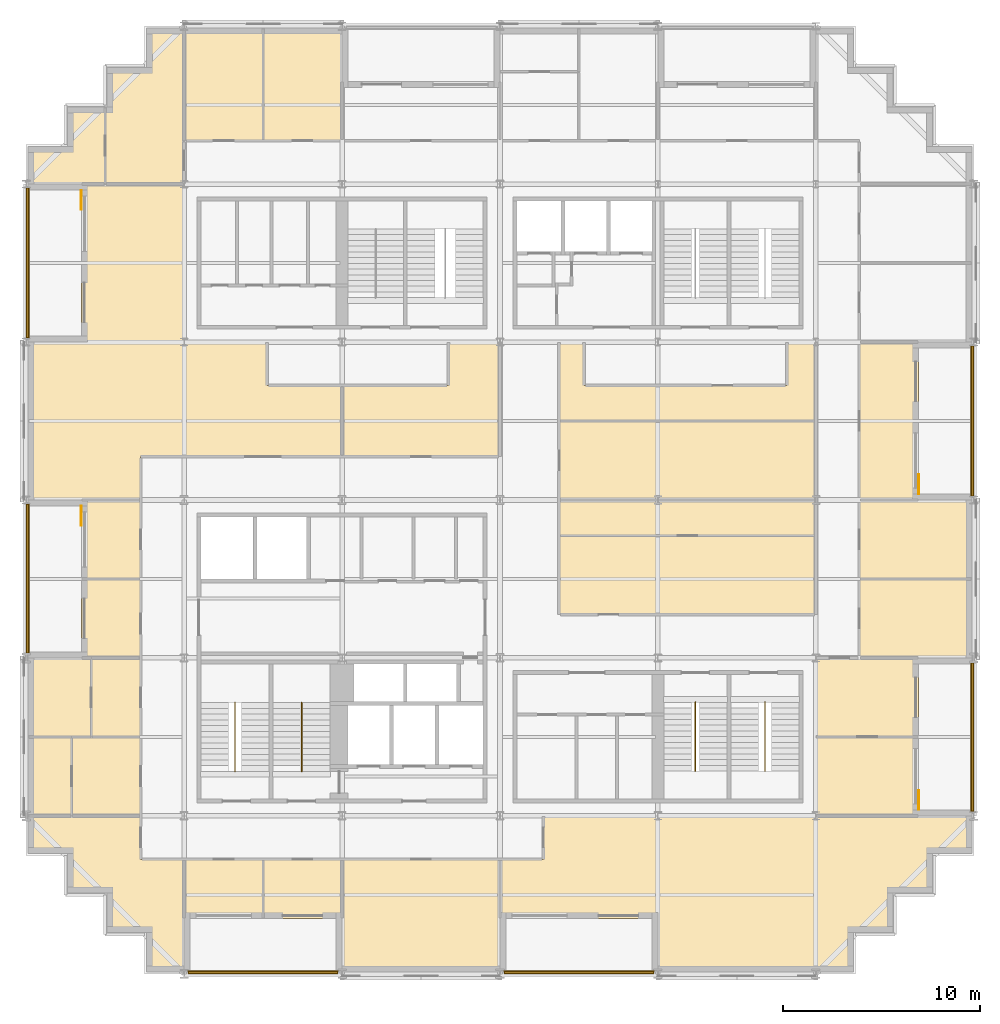
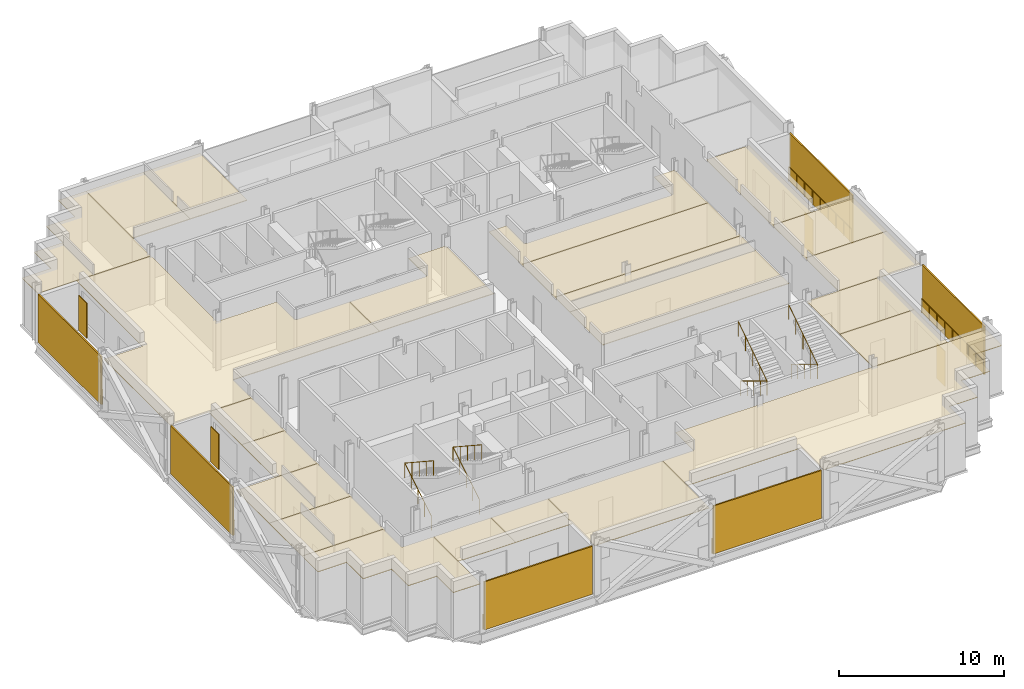
# One storey, part 13 of 14: 26 coverings, 10 railings, 10 shading devices.
"""IFC4 building model written with IfcOpenShell, lengths in metres."""

import ifcopenshell
import ifcopenshell.guid

model = None  # the IFC model being written
_history = None  # IfcOwnerHistory: only IFC2X3 demands one
_inside = {}  # id of a spatial element -> (the spatial element, [elements in it])
_under = {}  # id of a project, library or spatial element -> (it, [spatial elements below it])
_declared = {}  # id of a project -> (the project, [libraries it declares])
_typed = {}  # id of a type object -> (the type object, [elements of that type])
_made_of = {}  # id of a material, layer set ... -> (it, [elements and type objects made of it])


def new_model(schema):
    """Start an empty IFC model of exactly this schema.

    Asked for "IFC4X3", IfcOpenShell would pick the latest addendum, in which some entities
    have other attributes; the version numbers below select the first issue.
    IFC2X3 requires an IfcOwnerHistory on every rooted entity: one is made here for all.
    """
    global model, _history
    if schema == "IFC4X3":
        model = ifcopenshell.file(schema_version=(4, 3, 0, 0))
    else:
        model = ifcopenshell.file(schema=schema)
    _inside.clear()
    _under.clear()
    _declared.clear()
    _typed.clear()
    _made_of.clear()
    _history = None
    if model.schema == "IFC2X3":
        org = make("IfcOrganization", Name="unknown")
        user = make(
            "IfcPersonAndOrganization",
            ThePerson=make("IfcPerson", FamilyName="unknown"),
            TheOrganization=org,
        )
        app = make(
            "IfcApplication",
            ApplicationDeveloper=org,
            Version="unknown",
            ApplicationFullName="unknown",
            ApplicationIdentifier="unknown",
        )
        _history = make(
            "IfcOwnerHistory",
            OwningUser=user,
            OwningApplication=app,
            ChangeAction="ADDED",
            CreationDate=0,
        )
    return model


def make(cls, **values):
    """One entity of the class cls with the attributes given. An attribute that is None is left unset."""
    return model.create_entity(
        cls, **{name: value for name, value in values.items() if value is not None}
    )


def rooted(cls, **values):
    """An entity with a GlobalId (a new one), such as an element, a storey or a relation."""
    return make(cls, GlobalId=ifcopenshell.guid.new(), OwnerHistory=_history, **values)


def si_unit(unit_type, name, prefix=None):
    """IfcSIUnit, for example si_unit("LENGTHUNIT", "METRE", prefix="MILLI")."""
    return make("IfcSIUnit", UnitType=unit_type, Prefix=prefix, Name=name)


def assignment(units):
    """IfcUnitAssignment: the units of a project."""
    return None if units is None else make("IfcUnitAssignment", Units=units)


def point(xyz):
    """IfcCartesianPoint."""
    return None if xyz is None else make("IfcCartesianPoint", Coordinates=xyz)


def direction(xyz):
    """IfcDirection."""
    return None if xyz is None else make("IfcDirection", DirectionRatios=xyz)


def frame(location, z_axis=None, x_axis=None):
    """IfcAxis2Placement3D, a coordinate frame: its origin and axes. An axis left out is left unset."""
    return make(
        "IfcAxis2Placement3D",
        Location=point(location),
        Axis=direction(z_axis),
        RefDirection=direction(x_axis),
    )


def frame_2d(location, x_axis=None):
    """IfcAxis2Placement2D, a coordinate frame in the plane: its origin and x axis."""
    return make(
        "IfcAxis2Placement2D", Location=point(location), RefDirection=direction(x_axis)
    )


def origin():
    """The frame at (0, 0, 0) with its axes left unset."""
    return frame((0.0, 0.0, 0.0))


def origin_2d():
    """The frame at (0, 0) in the plane with its x axis left unset."""
    return frame_2d((0.0, 0.0))


def place(relative_to, where):
    """IfcLocalPlacement: puts the frame where relative to a parent placement (None: the world)."""
    return make(
        "IfcLocalPlacement", PlacementRelTo=relative_to, RelativePlacement=where
    )


def context(
    kind, dimensions, precision=None, world=None, true_north=None, identifier=None
):
    """IfcGeometricRepresentationContext, for example the 3D "Model" context."""
    return make(
        "IfcGeometricRepresentationContext",
        ContextIdentifier=identifier,
        ContextType=kind,
        CoordinateSpaceDimension=dimensions,
        Precision=precision,
        WorldCoordinateSystem=world,
        TrueNorth=true_north,
    )


def subcontext(parent, identifier, kind, view, scale=None):
    """IfcGeometricRepresentationSubContext, for example "Body" below "Model"."""
    return make(
        "IfcGeometricRepresentationSubContext",
        ContextIdentifier=identifier,
        ContextType=kind,
        ParentContext=parent,
        TargetScale=scale,
        TargetView=view,
    )


def project(units=None, contexts=None):
    """IfcProject with its units and contexts."""
    return rooted(
        "IfcProject",
        Name="project",
        RepresentationContexts=contexts,
        UnitsInContext=assignment(units),
    )


def spatial(cls, under=None, at=None, **own):
    """A site, building, storey or space (cls), placed at a placement, below another one or the project."""
    s = rooted(cls, ObjectPlacement=at, **own)
    if under is not None:
        _under.setdefault(under.id(), (under, []))[1].append(s)
    return s


def polyline(points):
    """IfcPolyline through the points."""
    return make("IfcPolyline", Points=[point(p) for p in points])


def profile(cls, at=None, kind="AREA", **sizes):
    """A parametric profile (cls). Its sizes go by their IFC names, for example OverallWidth=200.0."""
    return make(cls, ProfileType=kind, Position=at, **sizes)


def rectangle(**sizes):
    """IfcRectangleProfileDef."""
    return profile("IfcRectangleProfileDef", **sizes)


def circle(**sizes):
    """IfcCircleProfileDef."""
    return profile("IfcCircleProfileDef", **sizes)


def outline(outer, holes=None, kind="AREA"):
    """IfcArbitraryClosedProfileDef: a profile drawn as a closed curve; with holes, ...WithVoids."""
    if holes is None:
        return make("IfcArbitraryClosedProfileDef", ProfileType=kind, OuterCurve=outer)
    return make(
        "IfcArbitraryProfileDefWithVoids",
        ProfileType=kind,
        OuterCurve=outer,
        InnerCurves=holes,
    )


def extrude(swept, where, along, depth):
    """IfcExtrudedAreaSolid: the profile swept, set in the frame where, extruded along a direction by depth."""
    return make(
        "IfcExtrudedAreaSolid",
        SweptArea=swept,
        Position=where,
        ExtrudedDirection=direction(along),
        Depth=depth,
    )


def shape(context_of_items, identifier, shape_type, items):
    """IfcShapeRepresentation: the items that make up one representation, for example the "Body"."""
    return make(
        "IfcShapeRepresentation",
        ContextOfItems=context_of_items,
        RepresentationIdentifier=identifier,
        RepresentationType=shape_type,
        Items=items,
    )


def material(Name=None, Category=None):
    """IfcMaterial."""
    return make("IfcMaterial", Name=Name, Category=Category)


def layer(
    of_material, thickness, ventilated=None, Name=None, Category=None, Priority=None
):
    """IfcMaterialLayer: one layer of a wall or slab, of a material (None: an air gap)."""
    return make(
        "IfcMaterialLayer",
        Material=of_material,
        LayerThickness=thickness,
        IsVentilated=ventilated,
        Name=Name,
        Category=Category,
        Priority=Priority,
    )


def layer_set(layers, Name=None):
    """IfcMaterialLayerSet."""
    return make("IfcMaterialLayerSet", MaterialLayers=layers, LayerSetName=Name)


def made_of(thing, what):
    """Note that an element or type object is made of a material, layer set ...; save() writes the relation."""
    if what is not None:
        _made_of.setdefault(what.id(), (what, []))[1].append(thing)
    return thing


def type_object(cls, material=None, **own):
    """A type object (cls), such as IfcWallType, which elements share."""
    return made_of(rooted(cls, **own), material)


def element(
    cls,
    number,
    at=None,
    inside=None,
    cuts=None,
    type_object=None,
    material=None,
    context=None,
    identifier="Body",
    shape_type=None,
    held_by="IfcProductDefinitionShape",
    body=None,
    shapes=None,
    **own,
):
    """One element of the class cls, such as IfcWall. Its Tag is "e" and its number.

    at: its placement. inside: the storey or other place that contains it. cuts: it is an
    opening in that element (IfcRelVoidsElement). A single representation is given by context,
    identifier, shape_type and body (its items); several are given by shapes. held_by: the class
    of the entity that holds the representations. save() writes the other relations.
    """
    e = rooted(cls, Tag="e%d" % number, ObjectPlacement=at, **own)
    if body is not None:
        shapes = [shape(context, identifier, shape_type, body)]
    if shapes is not None:
        e.Representation = make(held_by, Representations=shapes)
    if inside is not None:
        _inside.setdefault(inside.id(), (inside, []))[1].append(e)
    if cuts is not None:
        rooted(
            "IfcRelVoidsElement", RelatingBuildingElement=cuts, RelatedOpeningElement=e
        )
    if type_object is not None:
        _typed.setdefault(type_object.id(), (type_object, []))[1].append(e)
    return made_of(e, material)


def aggregate(whole, parts):
    """IfcRelAggregates: a whole, such as a stair, and the parts it consists of."""
    return rooted("IfcRelAggregates", RelatingObject=whole, RelatedObjects=parts)


def save(model, path):
    """Write the relations noted so far, then the file.

    IfcRelAggregates (storeys below a building ...), IfcRelContainedInSpatialStructure (elements
    in a storey), IfcRelDefinesByType, IfcRelAssociatesMaterial and IfcRelDeclares: one each for
    every whole, place, type object, material and project.
    """
    for whole, parts in _under.values():
        aggregate(whole, parts)
    for where, things in _inside.values():
        rooted(
            "IfcRelContainedInSpatialStructure",
            RelatedElements=things,
            RelatingStructure=where,
        )
    for kind, things in _typed.values():
        rooted("IfcRelDefinesByType", RelatedObjects=things, RelatingType=kind)
    for what, things in _made_of.values():
        rooted("IfcRelAssociatesMaterial", RelatedObjects=things, RelatingMaterial=what)
    for by, libraries in _declared.values():
        rooted("IfcRelDeclares", RelatingContext=by, RelatedDefinitions=libraries)
    model.write(path)


model = new_model("IFC4")

# Units and contexts
model_context = context("Model", 3, precision=1e-05, world=origin(), true_north=direction((0.0, 1.0)))
body_context = subcontext(model_context, "Body", "Model", "MODEL_VIEW")
ifc_project = project(units=[si_unit("LENGTHUNIT", "METRE"), si_unit("AREAUNIT", "SQUARE_METRE"), si_unit("VOLUMEUNIT", "CUBIC_METRE"), si_unit("PLANEANGLEUNIT", "RADIAN"), si_unit("MASSUNIT", "GRAM", prefix="KILO")], contexts=[model_context])

# Site, building, storey
site_placement = place(None, origin())
site = spatial("IfcSite", under=ifc_project, at=site_placement, CompositionType="ELEMENT")
building_placement = place(site_placement, origin())
building = spatial("IfcBuilding", under=site, at=building_placement, Name="Immortelle Media Tower", CompositionType="ELEMENT")
storey_placement = place(building_placement, frame((0.0, 0.0, 96.39990234375)))
storey = spatial("IfcBuildingStorey", under=building, at=storey_placement, Name="L18", CompositionType="ELEMENT", Elevation=96.39990234375)

# Railings
ifc_material_1 = material(Name="Powder-coated aluminium fretwork panel, laminated glass backing", Category="aluminium")
railing_type_1 = type_object("IfcRailingType", Name="Fretwork balustrade 1100", PredefinedType="BALUSTRADE", material=ifc_material_1)
railing_1_placement = place(storey_placement, frame((0.139892578125, 39.806884765625, 0.0)))
element("IfcRailing", 1, at=railing_1_placement, inside=storey, type_object=railing_type_1, Name="Fretwork balustrade L18 W0", PredefinedType="BALUSTRADE", context=body_context, shape_type="SweptSolid", body=[
    extrude(circle(Radius=0.02490234375, at=origin_2d()), frame((0.0, 0.0, 1.0751953125), z_axis=(0.0, -1.0, 0.0), x_axis=(1.0, 0.0, 0.0)), (0.0, 0.0, 1.0), 7.598388671875),
    extrude(circle(Radius=0.02001953125, at=origin_2d()), origin(), (0.0, 0.0, 1.0), 1.050048828125),
    extrude(circle(Radius=0.02001953125, at=origin_2d()), frame((0.0, -0.94970703125, 0.0)), (0.0, 0.0, 1.0), 1.050048828125),
    extrude(circle(Radius=0.02001953125, at=origin_2d()), frame((0.0, -1.899658203125, 0.0)), (0.0, 0.0, 1.0), 1.050048828125),
    extrude(circle(Radius=0.02001953125, at=origin_2d()), frame((0.0, -2.849365234375, 0.0)), (0.0, 0.0, 1.0), 1.050048828125),
    extrude(circle(Radius=0.02001953125, at=origin_2d()), frame((0.0, -3.79931640625, 0.0)), (0.0, 0.0, 1.0), 1.050048828125),
    extrude(circle(Radius=0.02001953125, at=origin_2d()), frame((0.0, -4.7490234375, 0.0)), (0.0, 0.0, 1.0), 1.050048828125),
    extrude(circle(Radius=0.02001953125, at=origin_2d()), frame((0.0, -5.69873046875, 0.0)), (0.0, 0.0, 1.0), 1.050048828125),
    extrude(circle(Radius=0.02001953125, at=origin_2d()), frame((0.0, -6.648681640625, 0.0)), (0.0, 0.0, 1.0), 1.050048828125),
    extrude(circle(Radius=0.02001953125, at=origin_2d()), frame((0.0, -7.598388671875, 0.0)), (0.0, 0.0, 1.0), 1.050048828125),
])
railing_2_placement = place(storey_placement, frame((0.139892578125, 23.79150390625, 0.0)))
element("IfcRailing", 2, at=railing_2_placement, inside=storey, type_object=railing_type_1, Name="Fretwork balustrade L18 W2", PredefinedType="BALUSTRADE", context=body_context, shape_type="SweptSolid", body=[
    extrude(circle(Radius=0.02490234375, at=origin_2d()), frame((0.0, 0.0, 1.0751953125), z_axis=(0.0, -1.0, 0.0), x_axis=(1.0, 0.0, 0.0)), (0.0, 0.0, 1.0), 7.54248046875),
    extrude(circle(Radius=0.02001953125, at=origin_2d()), origin(), (0.0, 0.0, 1.0), 1.050048828125),
    extrude(circle(Radius=0.02001953125, at=origin_2d()), frame((0.0, -0.94287109375, 0.0)), (0.0, 0.0, 1.0), 1.050048828125),
    extrude(circle(Radius=0.02001953125, at=origin_2d()), frame((0.0, -1.8857421875, 0.0)), (0.0, 0.0, 1.0), 1.050048828125),
    extrude(circle(Radius=0.02001953125, at=origin_2d()), frame((0.0, -2.828369140625, 0.0)), (0.0, 0.0, 1.0), 1.050048828125),
    extrude(circle(Radius=0.02001953125, at=origin_2d()), frame((0.0, -3.771240234375, 0.0)), (0.0, 0.0, 1.0), 1.050048828125),
    extrude(circle(Radius=0.02001953125, at=origin_2d()), frame((0.0, -4.714111328125, 0.0)), (0.0, 0.0, 1.0), 1.050048828125),
    extrude(circle(Radius=0.02001953125, at=origin_2d()), frame((0.0, -5.65673828125, 0.0)), (0.0, 0.0, 1.0), 1.050048828125),
    extrude(circle(Radius=0.02001953125, at=origin_2d()), frame((0.0, -6.599609375, 0.0)), (0.0, 0.0, 1.0), 1.050048828125),
    extrude(circle(Radius=0.02001953125, at=origin_2d()), frame((0.0, -7.54248046875, 0.0)), (0.0, 0.0, 1.0), 1.050048828125),
])
railing_3_placement = place(storey_placement, frame((8.20947265625, 0.139892578125, 0.0)))
element("IfcRailing", 3, at=railing_3_placement, inside=storey, type_object=railing_type_1, Name="Fretwork balustrade L18 S0", PredefinedType="BALUSTRADE", context=body_context, shape_type="SweptSolid", body=[
    extrude(circle(Radius=0.02490234375, at=origin_2d()), frame((0.0, 0.0, 1.0751953125), z_axis=(1.0, 0.0, 0.0), x_axis=(0.0, 1.0, 0.0)), (0.0, 0.0, 1.0), 7.574462890625),
    extrude(circle(Radius=0.02001953125, at=origin_2d()), origin(), (0.0, 0.0, 1.0), 1.050048828125),
    extrude(circle(Radius=0.02001953125, at=origin_2d()), frame((0.94677734375, 0.0, 0.0)), (0.0, 0.0, 1.0), 1.050048828125),
    extrude(circle(Radius=0.02001953125, at=origin_2d()), frame((1.8935546875, 0.0, 0.0)), (0.0, 0.0, 1.0), 1.050048828125),
    extrude(circle(Radius=0.02001953125, at=origin_2d()), frame((2.84033203125, 0.0, 0.0)), (0.0, 0.0, 1.0), 1.050048828125),
    extrude(circle(Radius=0.02001953125, at=origin_2d()), frame((3.787109375, 0.0, 0.0)), (0.0, 0.0, 1.0), 1.050048828125),
    extrude(circle(Radius=0.02001953125, at=origin_2d()), frame((4.734130859375, 0.0, 0.0)), (0.0, 0.0, 1.0), 1.050048828125),
    extrude(circle(Radius=0.02001953125, at=origin_2d()), frame((5.680908203125, 0.0, 0.0)), (0.0, 0.0, 1.0), 1.050048828125),
    extrude(circle(Radius=0.02001953125, at=origin_2d()), frame((6.627685546875, 0.0, 0.0)), (0.0, 0.0, 1.0), 1.050048828125),
    extrude(circle(Radius=0.02001953125, at=origin_2d()), frame((7.574462890625, 0.0, 0.0)), (0.0, 0.0, 1.0), 1.050048828125),
])
railing_4_placement = place(storey_placement, frame((24.216064453125, 0.139892578125, 0.0)))
element("IfcRailing", 4, at=railing_4_placement, inside=storey, type_object=railing_type_1, Name="Fretwork balustrade L18 S2", PredefinedType="BALUSTRADE", context=body_context, shape_type="SweptSolid", body=[
    extrude(circle(Radius=0.02490234375, at=origin_2d()), frame((0.0, 0.0, 1.0751953125), z_axis=(1.0, 0.0, 0.0), x_axis=(0.0, 1.0, 0.0)), (0.0, 0.0, 1.0), 7.56787109375),
    extrude(circle(Radius=0.02001953125, at=origin_2d()), origin(), (0.0, 0.0, 1.0), 1.050048828125),
    extrude(circle(Radius=0.02001953125, at=origin_2d()), frame((0.946044921875, 0.0, 0.0)), (0.0, 0.0, 1.0), 1.050048828125),
    extrude(circle(Radius=0.02001953125, at=origin_2d()), frame((1.89208984375, 0.0, 0.0)), (0.0, 0.0, 1.0), 1.050048828125),
    extrude(circle(Radius=0.02001953125, at=origin_2d()), frame((2.837890625, 0.0, 0.0)), (0.0, 0.0, 1.0), 1.050048828125),
    extrude(circle(Radius=0.02001953125, at=origin_2d()), frame((3.783935546875, 0.0, 0.0)), (0.0, 0.0, 1.0), 1.050048828125),
    extrude(circle(Radius=0.02001953125, at=origin_2d()), frame((4.72998046875, 0.0, 0.0)), (0.0, 0.0, 1.0), 1.050048828125),
    extrude(circle(Radius=0.02001953125, at=origin_2d()), frame((5.67578125, 0.0, 0.0)), (0.0, 0.0, 1.0), 1.050048828125),
    extrude(circle(Radius=0.02001953125, at=origin_2d()), frame((6.621826171875, 0.0, 0.0)), (0.0, 0.0, 1.0), 1.050048828125),
    extrude(circle(Radius=0.02001953125, at=origin_2d()), frame((7.56787109375, 0.0, 0.0)), (0.0, 0.0, 1.0), 1.050048828125),
])
railing_5_placement = place(storey_placement, frame((47.860107421875, 8.2275390625, 0.0)))
element("IfcRailing", 5, at=railing_5_placement, inside=storey, type_object=railing_type_1, Name="Fretwork balustrade L18 E0", PredefinedType="BALUSTRADE", context=body_context, shape_type="SweptSolid", body=[
    extrude(circle(Radius=0.02490234375, at=origin_2d()), frame((0.0, 0.0, 1.0751953125), z_axis=(0.0, 1.0, 0.0), x_axis=(-1.0, 0.0, 0.0)), (0.0, 0.0, 1.0), 7.5234375),
    extrude(circle(Radius=0.02001953125, at=origin_2d()), origin(), (0.0, 0.0, 1.0), 1.050048828125),
    extrude(circle(Radius=0.02001953125, at=origin_2d()), frame((0.0, 0.9404296875, 0.0)), (0.0, 0.0, 1.0), 1.050048828125),
    extrude(circle(Radius=0.02001953125, at=origin_2d()), frame((0.0, 1.880859375, 0.0)), (0.0, 0.0, 1.0), 1.050048828125),
    extrude(circle(Radius=0.02001953125, at=origin_2d()), frame((0.0, 2.8212890625, 0.0)), (0.0, 0.0, 1.0), 1.050048828125),
    extrude(circle(Radius=0.02001953125, at=origin_2d()), frame((0.0, 3.76171875, 0.0)), (0.0, 0.0, 1.0), 1.050048828125),
    extrude(circle(Radius=0.02001953125, at=origin_2d()), frame((0.0, 4.7021484375, 0.0)), (0.0, 0.0, 1.0), 1.050048828125),
    extrude(circle(Radius=0.02001953125, at=origin_2d()), frame((0.0, 5.642578125, 0.0)), (0.0, 0.0, 1.0), 1.050048828125),
    extrude(circle(Radius=0.02001953125, at=origin_2d()), frame((0.0, 6.5830078125, 0.0)), (0.0, 0.0, 1.0), 1.050048828125),
    extrude(circle(Radius=0.02001953125, at=origin_2d()), frame((0.0, 7.5234375, 0.0)), (0.0, 0.0, 1.0), 1.050048828125),
])
railing_6_placement = place(storey_placement, frame((47.860107421875, 24.193115234375, 0.0)))
element("IfcRailing", 6, at=railing_6_placement, inside=storey, type_object=railing_type_1, Name="Fretwork balustrade L18 E2", PredefinedType="BALUSTRADE", context=body_context, shape_type="SweptSolid", body=[
    extrude(circle(Radius=0.02490234375, at=origin_2d()), frame((0.0, 0.0, 1.0751953125), z_axis=(0.0, 1.0, 0.0), x_axis=(-1.0, 0.0, 0.0)), (0.0, 0.0, 1.0), 7.61376953125),
    extrude(circle(Radius=0.02001953125, at=origin_2d()), origin(), (0.0, 0.0, 1.0), 1.050048828125),
    extrude(circle(Radius=0.02001953125, at=origin_2d()), frame((0.0, 0.95166015625, 0.0)), (0.0, 0.0, 1.0), 1.050048828125),
    extrude(circle(Radius=0.02001953125, at=origin_2d()), frame((0.0, 1.9033203125, 0.0)), (0.0, 0.0, 1.0), 1.050048828125),
    extrude(circle(Radius=0.02001953125, at=origin_2d()), frame((0.0, 2.855224609375, 0.0)), (0.0, 0.0, 1.0), 1.050048828125),
    extrude(circle(Radius=0.02001953125, at=origin_2d()), frame((0.0, 3.806884765625, 0.0)), (0.0, 0.0, 1.0), 1.050048828125),
    extrude(circle(Radius=0.02001953125, at=origin_2d()), frame((0.0, 4.758544921875, 0.0)), (0.0, 0.0, 1.0), 1.050048828125),
    extrude(circle(Radius=0.02001953125, at=origin_2d()), frame((0.0, 5.71044921875, 0.0)), (0.0, 0.0, 1.0), 1.050048828125),
    extrude(circle(Radius=0.02001953125, at=origin_2d()), frame((0.0, 6.662109375, 0.0)), (0.0, 0.0, 1.0), 1.050048828125),
    extrude(circle(Radius=0.02001953125, at=origin_2d()), frame((0.0, 7.61376953125, 0.0)), (0.0, 0.0, 1.0), 1.050048828125),
])

# Shading devices
ifc_material_2 = material(Name="Pale aluminium louvre blades", Category="aluminium")
ifc_layer_1 = layer(ifc_material_2, 0.10009765625)
ifc_layer_set_1 = layer_set([ifc_layer_1], Name="Pale aluminium louvre blades")
shading_device_type_1 = type_object("IfcShadingDeviceType", Name="Jalousie screen 100", PredefinedType="JALOUSIE", material=ifc_layer_set_1)
shading_device_1_placement = place(storey_placement, frame((0.050048828125, 36.0078125, 0.0), z_axis=(0.0, 0.0, 1.0), x_axis=(0.0, -1.0, 0.0)))
element("IfcShadingDevice", 7, at=shading_device_1_placement, inside=storey, type_object=shading_device_type_1, Name="Jalousie screen L18 W0", PredefinedType="JALOUSIE", context=body_context, shape_type="SweptSolid", body=[
    extrude(rectangle(XDim=7.598388671875, YDim=0.10009765625, at=origin_2d()), origin(), (0.0, 0.0, 1.0), 3.556884765625),
])
shading_device_2_placement = place(storey_placement, frame((0.050048828125, 20.020263671875, 0.0), z_axis=(0.0, 0.0, 1.0), x_axis=(0.0, -1.0, 0.0)))
element("IfcShadingDevice", 8, at=shading_device_2_placement, inside=storey, type_object=shading_device_type_1, Name="Jalousie screen L18 W2", PredefinedType="JALOUSIE", context=body_context, shape_type="SweptSolid", body=[
    extrude(rectangle(XDim=7.54248046875, YDim=0.10009765625, at=origin_2d()), origin(), (0.0, 0.0, 1.0), 3.556884765625),
])
shading_device_3_placement = place(storey_placement, frame((11.996826171875, 0.050048828125, 0.0), z_axis=(0.0, 0.0, 1.0), x_axis=(1.0, 0.0, 0.0)))
element("IfcShadingDevice", 9, at=shading_device_3_placement, inside=storey, type_object=shading_device_type_1, Name="Jalousie screen L18 S0", PredefinedType="JALOUSIE", context=body_context, shape_type="SweptSolid", body=[
    extrude(rectangle(XDim=7.574462890625, YDim=0.10009765625, at=origin_2d()), origin(), (0.0, 0.0, 1.0), 3.556884765625),
])
shading_device_4_placement = place(storey_placement, frame((28.0, 0.050048828125, 0.0), z_axis=(0.0, 0.0, 1.0), x_axis=(1.0, 0.0, 0.0)))
element("IfcShadingDevice", 10, at=shading_device_4_placement, inside=storey, type_object=shading_device_type_1, Name="Jalousie screen L18 S2", PredefinedType="JALOUSIE", context=body_context, shape_type="SweptSolid", body=[
    extrude(rectangle(XDim=7.568115234375, YDim=0.10009765625, at=origin_2d()), origin(), (0.0, 0.0, 1.0), 3.556884765625),
])
shading_device_5_placement = place(storey_placement, frame((47.949951171875, 11.9892578125, 0.0), z_axis=(0.0, 0.0, 1.0), x_axis=(0.0, 1.0, 0.0)))
element("IfcShadingDevice", 11, at=shading_device_5_placement, inside=storey, type_object=shading_device_type_1, Name="Jalousie screen L18 E0", PredefinedType="JALOUSIE", context=body_context, shape_type="SweptSolid", body=[
    extrude(rectangle(XDim=7.5234375, YDim=0.10009765625, at=origin_2d()), origin(), (0.0, 0.0, 1.0), 3.556884765625),
])
shading_device_6_placement = place(storey_placement, frame((47.949951171875, 28.0, 0.0), z_axis=(0.0, 0.0, 1.0), x_axis=(0.0, 1.0, 0.0)))
element("IfcShadingDevice", 12, at=shading_device_6_placement, inside=storey, type_object=shading_device_type_1, Name="Jalousie screen L18 E2", PredefinedType="JALOUSIE", context=body_context, shape_type="SweptSolid", body=[
    extrude(rectangle(XDim=7.614013671875, YDim=0.10009765625, at=origin_2d()), origin(), (0.0, 0.0, 1.0), 3.556884765625),
])
ifc_material_3 = material(Name="Pale aluminium louvre blades in a folding frame", Category="aluminium")
ifc_layer_2 = layer(ifc_material_3, 0.050048828125)
ifc_layer_set_2 = layer_set([ifc_layer_2], Name="Pale aluminium louvre blades in a folding frame")
shading_device_type_2 = type_object("IfcShadingDeviceType", Name="Louvred loggia shutter", PredefinedType="SHUTTER", material=ifc_layer_set_2)
for number, where, z_axis, x_axis, name in (
    (13, (2.77490234375, 39.199951171875, 0.0), (0.0, 0.0, 1.0), (0.0, -1.0, 0.0), "Loggia shutter L18 W0"),
    (14, (2.77490234375, 23.199951171875, 0.0), (0.0, 0.0, 1.0), (0.0, -1.0, 0.0), "Loggia shutter L18 W2"),
    (15, (45.22509765625, 8.800048828125, 0.0), (0.0, 0.0, 1.0), (0.0, 1.0, 0.0), "Loggia shutter L18 E0"),
    (16, (45.22509765625, 24.800048828125, 0.0), (0.0, 0.0, 1.0), (0.0, 1.0, 0.0), "Loggia shutter L18 E2"),
):
    element("IfcShadingDevice", number, at=place(storey_placement, frame(where, z_axis=z_axis, x_axis=x_axis)), inside=storey, type_object=shading_device_type_2, Name=name, PredefinedType="SHUTTER", context=body_context, shape_type="SweptSolid", body=[
        extrude(rectangle(XDim=1.0, YDim=0.050048828125, at=origin_2d()), origin(), (0.0, 0.0, 1.0), 2.60009765625),
    ])

# Railings
ifc_material_4 = material(Name="Stainless steel AISI 316", Category="steel")
railing_type_2 = type_object("IfcRailingType", Name="Stair guard 1100", PredefinedType="GUARDRAIL", material=ifc_material_4)
for number, where, name in (
    (17, (10.574951171875, 10.5400390625, 0.176025390625), "Stair guard SW1"),
    (18, (13.949951171875, 10.5400390625, 0.176025390625), "Stair guard SW2"),
):
    element("IfcRailing", number, at=place(storey_placement, frame(where)), inside=storey, type_object=railing_type_2, Name=name, PredefinedType="GUARDRAIL", context=body_context, shape_type="SweptSolid", body=[
        extrude(circle(Radius=0.02392578125, at=origin_2d()), frame((0.0, 0.0, 1.076171875), z_axis=(0.0, 0.854872504309, 0.518838126371), x_axis=(-1.0, 0.0, 0.0)), (0.0, 0.0, 1.0), 3.7314453125),
        extrude(circle(Radius=0.02392578125, at=origin_2d()), frame((0.0, 3.18994140625, 3.01220703125), z_axis=(0.0, -0.835568629342, 0.549386080693), x_axis=(1.0, 0.0, 0.0)), (0.0, 0.0, 1.0), 4.164794921875),
        extrude(circle(Radius=0.02099609375, at=origin_2d()), origin(), (0.0, 0.0, 1.0), 1.052001953125),
        extrude(circle(Radius=0.02099609375, at=origin_2d()), frame((0.0, 0.79736328125, 0.48388671875)), (0.0, 0.0, 1.0), 1.052001953125),
        extrude(circle(Radius=0.02099609375, at=origin_2d()), frame((0.0, 1.594970703125, 0.968017578125)), (0.0, 0.0, 1.0), 1.052001953125),
        extrude(circle(Radius=0.02099609375, at=origin_2d()), frame((0.0, 2.392578125, 1.4521484375)), (0.0, 0.0, 1.0), 1.052001953125),
        extrude(circle(Radius=0.02099609375, at=origin_2d()), frame((0.0, 3.18994140625, 1.93603515625)), (0.0, 0.0, 1.0), 1.052001953125),
        extrude(circle(Radius=0.02099609375, at=origin_2d()), frame((0.0, 2.31982421875, 2.508056640625)), (0.0, 0.0, 1.0), 1.052001953125),
        extrude(circle(Radius=0.02099609375, at=origin_2d()), frame((0.0, 1.449951171875, 3.080078125)), (0.0, 0.0, 1.0), 1.052001953125),
        extrude(circle(Radius=0.02099609375, at=origin_2d()), frame((0.0, 0.580078125, 3.652099609375)), (0.0, 0.0, 1.0), 1.052001953125),
        extrude(circle(Radius=0.02099609375, at=origin_2d()), frame((0.0, -0.2900390625, 4.22412109375)), (0.0, 0.0, 1.0), 1.052001953125),
    ])
for number, where, name in (
    (19, (33.89990234375, 13.4599609375, 0.176025390625), "Stair guard SE1"),
    (20, (37.425048828125, 13.4599609375, 0.176025390625), "Stair guard SE2"),
):
    element("IfcRailing", number, at=place(storey_placement, frame(where)), inside=storey, type_object=railing_type_2, Name=name, PredefinedType="GUARDRAIL", context=body_context, shape_type="SweptSolid", body=[
        extrude(circle(Radius=0.02392578125, at=origin_2d()), frame((0.0, 0.0, 1.076171875), z_axis=(0.0, -0.854872504309, 0.518838126371), x_axis=(1.0, 0.0, 0.0)), (0.0, 0.0, 1.0), 3.7314453125),
        extrude(circle(Radius=0.02392578125, at=origin_2d()), frame((0.0, -3.18994140625, 3.01220703125), z_axis=(0.0, 0.835568629342, 0.549386080693), x_axis=(-1.0, 0.0, 0.0)), (0.0, 0.0, 1.0), 4.164794921875),
        extrude(circle(Radius=0.02099609375, at=origin_2d()), origin(), (0.0, 0.0, 1.0), 1.052001953125),
        extrude(circle(Radius=0.02099609375, at=origin_2d()), frame((0.0, -0.79736328125, 0.48388671875)), (0.0, 0.0, 1.0), 1.052001953125),
        extrude(circle(Radius=0.02099609375, at=origin_2d()), frame((0.0, -1.594970703125, 0.968017578125)), (0.0, 0.0, 1.0), 1.052001953125),
        extrude(circle(Radius=0.02099609375, at=origin_2d()), frame((0.0, -2.392578125, 1.4521484375)), (0.0, 0.0, 1.0), 1.052001953125),
        extrude(circle(Radius=0.02099609375, at=origin_2d()), frame((0.0, -3.18994140625, 1.93603515625)), (0.0, 0.0, 1.0), 1.052001953125),
        extrude(circle(Radius=0.02099609375, at=origin_2d()), frame((0.0, -2.31982421875, 2.508056640625)), (0.0, 0.0, 1.0), 1.052001953125),
        extrude(circle(Radius=0.02099609375, at=origin_2d()), frame((0.0, -1.449951171875, 3.080078125)), (0.0, 0.0, 1.0), 1.052001953125),
        extrude(circle(Radius=0.02099609375, at=origin_2d()), frame((0.0, -0.580078125, 3.652099609375)), (0.0, 0.0, 1.0), 1.052001953125),
        extrude(circle(Radius=0.02099609375, at=origin_2d()), frame((0.0, 0.2900390625, 4.22412109375)), (0.0, 0.0, 1.0), 1.052001953125),
    ])

# Coverings
ifc_material_5 = material(Name="Mineral fibre tile ceiling")
ifc_layer_3 = layer(ifc_material_5, 0.050048828125)
ifc_layer_set_3 = layer_set([ifc_layer_3], Name="Mineral fibre tile ceiling")
covering_type = type_object("IfcCoveringType", Name="Suspended ceiling 50", PredefinedType="CEILING", material=ifc_layer_set_3)
covering_1_placement = place(storey_placement, frame((0.0, 0.0, 3.420166015625)))
element("IfcCovering", 21, at=covering_1_placement, inside=storey, type_object=covering_type, Name="Ceiling L18-001", PredefinedType="CEILING", context=body_context, shape_type="SweptSolid", body=[
    extrude(outline(polyline([(16.0, 0.10009765625), (16.0, 2.800048828125), (16.0, 5.800048828125), (24.0, 5.800048828125), (24.0, 2.800048828125), (24.0, 0.10009765625), (16.0, 0.10009765625)])), origin(), (0.0, 0.0, 1.0), 0.050048828125),
])
covering_2_placement = place(storey_placement, frame((0.0, 0.0, 3.420166015625)))
element("IfcCovering", 22, at=covering_2_placement, inside=storey, type_object=covering_type, Name="Ceiling L18-002", PredefinedType="CEILING", context=body_context, shape_type="SweptSolid", body=[
    extrude(outline(polyline([(8.0, 5.800048828125), (12.0, 5.800048828125), (12.0, 2.800048828125), (8.0, 2.800048828125), (8.0, 5.800048828125)])), origin(), (0.0, 0.0, 1.0), 0.050048828125),
])
covering_3_placement = place(storey_placement, frame((0.0, 0.0, 3.420166015625)))
element("IfcCovering", 23, at=covering_3_placement, inside=storey, type_object=covering_type, Name="Ceiling L18-003", PredefinedType="CEILING", context=body_context, shape_type="SweptSolid", body=[
    extrude(outline(polyline([(16.0, 5.800048828125), (16.0, 2.800048828125), (12.0, 2.800048828125), (12.0, 5.800048828125), (16.0, 5.800048828125)])), origin(), (0.0, 0.0, 1.0), 0.050048828125),
])
covering_4_placement = place(storey_placement, frame((0.0, 0.0, 3.420166015625)))
element("IfcCovering", 24, at=covering_4_placement, inside=storey, type_object=covering_type, Name="Ceiling L18-004", PredefinedType="CEILING", context=body_context, shape_type="SweptSolid", body=[
    extrude(outline(polyline([(24.0, 2.800048828125), (24.0, 5.800048828125), (26.199951171875, 5.800048828125), (26.199951171875, 8.0), (32.0, 8.0), (40.0, 8.0), (45.199951171875, 8.0), (47.89990234375, 8.0), (47.89990234375, 6.10009765625), (45.89990234375, 6.10009765625), (45.89990234375, 4.10009765625), (43.89990234375, 4.10009765625), (43.89990234375, 2.10009765625), (41.89990234375, 2.10009765625), (41.89990234375, 0.10009765625), (40.0, 0.10009765625), (32.0, 0.10009765625), (32.0, 2.800048828125), (24.0, 2.800048828125)])), origin(), (0.0, 0.0, 1.0), 0.050048828125),
])
covering_5_placement = place(storey_placement, frame((0.0, 0.0, 3.420166015625)))
element("IfcCovering", 25, at=covering_5_placement, inside=storey, type_object=covering_type, Name="Ceiling L18-005", PredefinedType="CEILING", context=body_context, shape_type="SweptSolid", body=[
    extrude(outline(polyline([(4.10009765625, 2.10009765625), (4.10009765625, 4.10009765625), (2.10009765625, 4.10009765625), (2.10009765625, 6.10009765625), (0.10009765625, 6.10009765625), (0.10009765625, 8.0), (5.800048828125, 8.0), (5.800048828125, 5.800048828125), (8.0, 5.800048828125), (8.0, 2.800048828125), (8.0, 0.10009765625), (6.10009765625, 0.10009765625), (6.10009765625, 2.10009765625), (4.10009765625, 2.10009765625)])), origin(), (0.0, 0.0, 1.0), 0.050048828125),
])
covering_6_placement = place(storey_placement, frame((0.0, 0.0, 3.420166015625)))
element("IfcCovering", 26, at=covering_6_placement, inside=storey, type_object=covering_type, Name="Ceiling L18-006", PredefinedType="CEILING", context=body_context, shape_type="SweptSolid", body=[
    extrude(outline(polyline([(5.800048828125, 12.0), (5.800048828125, 8.0), (2.300048828125, 8.0), (2.300048828125, 12.0), (5.800048828125, 12.0)])), origin(), (0.0, 0.0, 1.0), 0.050048828125),
])
covering_7_placement = place(storey_placement, frame((0.0, 0.0, 3.420166015625)))
element("IfcCovering", 27, at=covering_7_placement, inside=storey, type_object=covering_type, Name="Ceiling L18-007", PredefinedType="CEILING", context=body_context, shape_type="SweptSolid", body=[
    extrude(outline(polyline([(2.300048828125, 12.0), (2.300048828125, 8.0), (0.10009765625, 8.0), (0.10009765625, 12.0), (2.300048828125, 12.0)])), origin(), (0.0, 0.0, 1.0), 0.050048828125),
])
covering_8_placement = place(storey_placement, frame((0.0, 0.0, 3.420166015625)))
element("IfcCovering", 28, at=covering_8_placement, inside=storey, type_object=covering_type, Name="Ceiling L18-008", PredefinedType="CEILING", context=body_context, shape_type="SweptSolid", body=[
    extrude(outline(polyline([(5.800048828125, 16.0), (5.800048828125, 12.0), (3.300048828125, 12.0), (3.300048828125, 16.0), (5.800048828125, 16.0)])), origin(), (0.0, 0.0, 1.0), 0.050048828125),
])
covering_9_placement = place(storey_placement, frame((0.0, 0.0, 3.420166015625)))
element("IfcCovering", 29, at=covering_9_placement, inside=storey, type_object=covering_type, Name="Ceiling L18-009", PredefinedType="CEILING", context=body_context, shape_type="SweptSolid", body=[
    extrude(outline(polyline([(2.800048828125, 16.0), (3.300048828125, 16.0), (3.300048828125, 12.0), (0.10009765625, 12.0), (0.10009765625, 16.0), (2.800048828125, 16.0)])), origin(), (0.0, 0.0, 1.0), 0.050048828125),
])
covering_10_placement = place(storey_placement, frame((0.0, 0.0, 3.420166015625)))
element("IfcCovering", 30, at=covering_10_placement, inside=storey, type_object=covering_type, Name="Ceiling L18-010", PredefinedType="CEILING", context=body_context, shape_type="SweptSolid", body=[
    extrude(outline(polyline([(40.0, 16.0), (42.199951171875, 16.0), (45.199951171875, 16.0), (45.199951171875, 12.0), (40.0, 12.0), (40.0, 16.0)])), origin(), (0.0, 0.0, 1.0), 0.050048828125),
])
covering_11_placement = place(storey_placement, frame((0.0, 0.0, 3.420166015625)))
element("IfcCovering", 31, at=covering_11_placement, inside=storey, type_object=covering_type, Name="Ceiling L18-011", PredefinedType="CEILING", context=body_context, shape_type="SweptSolid", body=[
    extrude(outline(polyline([(40.0, 8.0), (40.0, 12.0), (45.199951171875, 12.0), (45.199951171875, 8.0), (40.0, 8.0)])), origin(), (0.0, 0.0, 1.0), 0.050048828125),
])
covering_12_placement = place(storey_placement, frame((0.0, 0.0, 3.420166015625)))
element("IfcCovering", 32, at=covering_12_placement, inside=storey, type_object=covering_type, Name="Ceiling L18-012", PredefinedType="CEILING", context=body_context, shape_type="SweptSolid", body=[
    extrude(outline(polyline([(5.800048828125, 16.0), (2.800048828125, 16.0), (2.800048828125, 20.0), (5.800048828125, 20.0), (5.800048828125, 19.449951171875), (5.800048828125, 16.0)])), origin(), (0.0, 0.0, 1.0), 0.050048828125),
])
covering_13_placement = place(storey_placement, frame((0.0, 0.0, 3.420166015625)))
element("IfcCovering", 33, at=covering_13_placement, inside=storey, type_object=covering_type, Name="Ceiling L18-013", PredefinedType="CEILING", context=body_context, shape_type="SweptSolid", body=[
    extrude(outline(polyline([(2.800048828125, 24.0), (5.800048828125, 24.0), (5.800048828125, 20.0), (2.800048828125, 20.0), (2.800048828125, 24.0)])), origin(), (0.0, 0.0, 1.0), 0.050048828125),
])
covering_14_placement = place(storey_placement, frame((0.0, 0.0, 3.420166015625)))
element("IfcCovering", 34, at=covering_14_placement, inside=storey, type_object=covering_type, Name="Ceiling L18-014", PredefinedType="CEILING", context=body_context, shape_type="SweptSolid", body=[
    extrude(outline(polyline([(42.199951171875, 16.0), (42.199951171875, 20.0), (47.89990234375, 20.0), (47.89990234375, 16.0), (45.199951171875, 16.0), (42.199951171875, 16.0)])), origin(), (0.0, 0.0, 1.0), 0.050048828125),
])
covering_15_placement = place(storey_placement, frame((0.0, 0.0, 3.420166015625)))
element("IfcCovering", 35, at=covering_15_placement, inside=storey, type_object=covering_type, Name="Ceiling L18-015", PredefinedType="CEILING", context=body_context, shape_type="SweptSolid", body=[
    extrude(outline(polyline([(42.199951171875, 24.0), (45.199951171875, 24.0), (47.89990234375, 24.0), (47.89990234375, 20.0), (42.199951171875, 20.0), (42.199951171875, 24.0)])), origin(), (0.0, 0.0, 1.0), 0.050048828125),
])
covering_16_placement = place(storey_placement, frame((0.0, 0.0, 3.420166015625)))
element("IfcCovering", 36, at=covering_16_placement, inside=storey, type_object=covering_type, Name="Ceiling L18-016", PredefinedType="CEILING", context=body_context, shape_type="SweptSolid", body=[
    extrude(outline(polyline([(27.0, 22.199951171875), (40.0, 22.199951171875), (40.0, 18.199951171875), (38.550048828125, 18.199951171875), (36.0, 18.199951171875), (32.0, 18.199951171875), (27.0, 18.199951171875), (27.0, 22.199951171875)])), origin(), (0.0, 0.0, 1.0), 0.050048828125),
])
covering_17_placement = place(storey_placement, frame((0.0, 0.0, 3.420166015625)))
element("IfcCovering", 37, at=covering_17_placement, inside=storey, type_object=covering_type, Name="Ceiling L18-017", PredefinedType="CEILING", context=body_context, shape_type="SweptSolid", body=[
    extrude(outline(polyline([(27.0, 24.0), (32.0, 24.0), (40.0, 24.0), (40.0, 22.199951171875), (27.0, 22.199951171875), (27.0, 24.0)])), origin(), (0.0, 0.0, 1.0), 0.050048828125),
])
covering_18_placement = place(storey_placement, frame((0.0, 0.0, 3.420166015625)))
element("IfcCovering", 38, at=covering_18_placement, inside=storey, type_object=covering_type, Name="Ceiling L18-018", PredefinedType="CEILING", context=body_context, shape_type="SweptSolid", body=[
    extrude(outline(polyline([(40.0, 24.0), (32.0, 24.0), (27.0, 24.0), (27.0, 28.0), (40.0, 28.0), (40.0, 24.0)])), origin(), (0.0, 0.0, 1.0), 0.050048828125),
])
covering_19_placement = place(storey_placement, frame((0.0, 0.0, 3.420166015625)))
element("IfcCovering", 39, at=covering_19_placement, inside=storey, type_object=covering_type, Name="Ceiling L18-019", PredefinedType="CEILING", context=body_context, shape_type="SweptSolid", body=[
    extrude(outline(polyline([(28.25, 32.0), (28.25, 29.800048828125), (32.0, 29.800048828125), (38.550048828125, 29.800048828125), (38.550048828125, 32.0), (40.0, 32.0), (40.0, 28.0), (27.0, 28.0), (27.0, 32.0), (28.25, 32.0)])), origin(), (0.0, 0.0, 1.0), 0.050048828125),
])
covering_20_placement = place(storey_placement, frame((0.0, 0.0, 3.420166015625)))
element("IfcCovering", 40, at=covering_20_placement, inside=storey, type_object=covering_type, Name="Ceiling L18-020", PredefinedType="CEILING", context=body_context, shape_type="SweptSolid", body=[
    extrude(outline(polyline([(45.199951171875, 24.0), (42.199951171875, 24.0), (42.199951171875, 32.0), (45.199951171875, 32.0), (45.199951171875, 24.0)])), origin(), (0.0, 0.0, 1.0), 0.050048828125),
])
covering_21_placement = place(storey_placement, frame((0.0, 0.0, 3.420166015625)))
element("IfcCovering", 41, at=covering_21_placement, inside=storey, type_object=covering_type, Name="Ceiling L18-021", PredefinedType="CEILING", context=body_context, shape_type="SweptSolid", body=[
    extrude(outline(polyline([(16.0, 26.199951171875), (16.0, 29.800048828125), (21.39990234375, 29.800048828125), (21.39990234375, 32.0), (24.0, 32.0), (24.0, 26.199951171875), (16.0, 26.199951171875)])), origin(), (0.0, 0.0, 1.0), 0.050048828125),
])
covering_22_placement = place(storey_placement, frame((0.0, 0.0, 3.420166015625)))
element("IfcCovering", 42, at=covering_22_placement, inside=storey, type_object=covering_type, Name="Ceiling L18-022", PredefinedType="CEILING", context=body_context, shape_type="SweptSolid", body=[
    extrude(outline(polyline([(12.199951171875, 32.0), (12.199951171875, 29.800048828125), (16.0, 29.800048828125), (16.0, 26.199951171875), (8.0, 26.199951171875), (5.800048828125, 26.199951171875), (5.800048828125, 24.0), (2.800048828125, 24.0), (0.10009765625, 24.0), (0.10009765625, 32.0), (2.800048828125, 32.0), (2.800048828125, 40.0), (8.0, 40.0), (8.0, 32.0), (12.199951171875, 32.0)])), origin(), (0.0, 0.0, 1.0), 0.050048828125),
])
covering_23_placement = place(storey_placement, frame((0.0, 0.0, 3.420166015625)))
element("IfcCovering", 43, at=covering_23_placement, inside=storey, type_object=covering_type, Name="Ceiling L18-025", PredefinedType="CEILING", context=body_context, shape_type="SweptSolid", body=[
    extrude(outline(polyline([(4.10009765625, 43.89990234375), (4.10009765625, 44.0), (4.10009765625, 45.89990234375), (6.10009765625, 45.89990234375), (6.10009765625, 47.89990234375), (8.0, 47.89990234375), (8.0, 44.0), (8.0, 42.199951171875), (8.0, 40.0), (4.0, 40.0), (4.0, 43.89990234375), (4.10009765625, 43.89990234375)])), origin(), (0.0, 0.0, 1.0), 0.050048828125),
])
covering_24_placement = place(storey_placement, frame((0.0, 0.0, 3.420166015625)))
element("IfcCovering", 44, at=covering_24_placement, inside=storey, type_object=covering_type, Name="Ceiling L18-026", PredefinedType="CEILING", context=body_context, shape_type="SweptSolid", body=[
    extrude(outline(polyline([(2.10009765625, 41.89990234375), (2.10009765625, 43.89990234375), (4.0, 43.89990234375), (4.0, 40.0), (2.800048828125, 40.0), (0.10009765625, 40.0), (0.10009765625, 41.89990234375), (2.10009765625, 41.89990234375)])), origin(), (0.0, 0.0, 1.0), 0.050048828125),
])
covering_25_placement = place(storey_placement, frame((0.0, 0.0, 3.420166015625)))
element("IfcCovering", 45, at=covering_25_placement, inside=storey, type_object=covering_type, Name="Ceiling L18-030", PredefinedType="CEILING", context=body_context, shape_type="SweptSolid", body=[
    extrude(outline(polyline([(8.0, 47.89990234375), (12.0, 47.89990234375), (12.0, 42.199951171875), (8.0, 42.199951171875), (8.0, 47.89990234375)])), origin(), (0.0, 0.0, 1.0), 0.050048828125),
])
covering_26_placement = place(storey_placement, frame((0.0, 0.0, 3.420166015625)))
element("IfcCovering", 46, at=covering_26_placement, inside=storey, type_object=covering_type, Name="Ceiling L18-031", PredefinedType="CEILING", context=body_context, shape_type="SweptSolid", body=[
    extrude(outline(polyline([(16.0, 47.89990234375), (16.0, 45.199951171875), (16.0, 42.199951171875), (12.0, 42.199951171875), (12.0, 47.89990234375), (16.0, 47.89990234375)])), origin(), (0.0, 0.0, 1.0), 0.050048828125),
])

save(model, "model.ifc")
